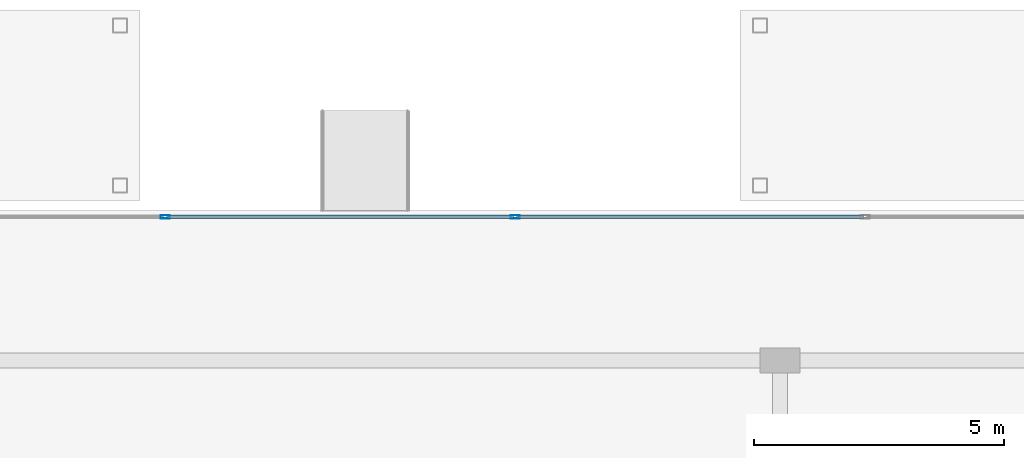
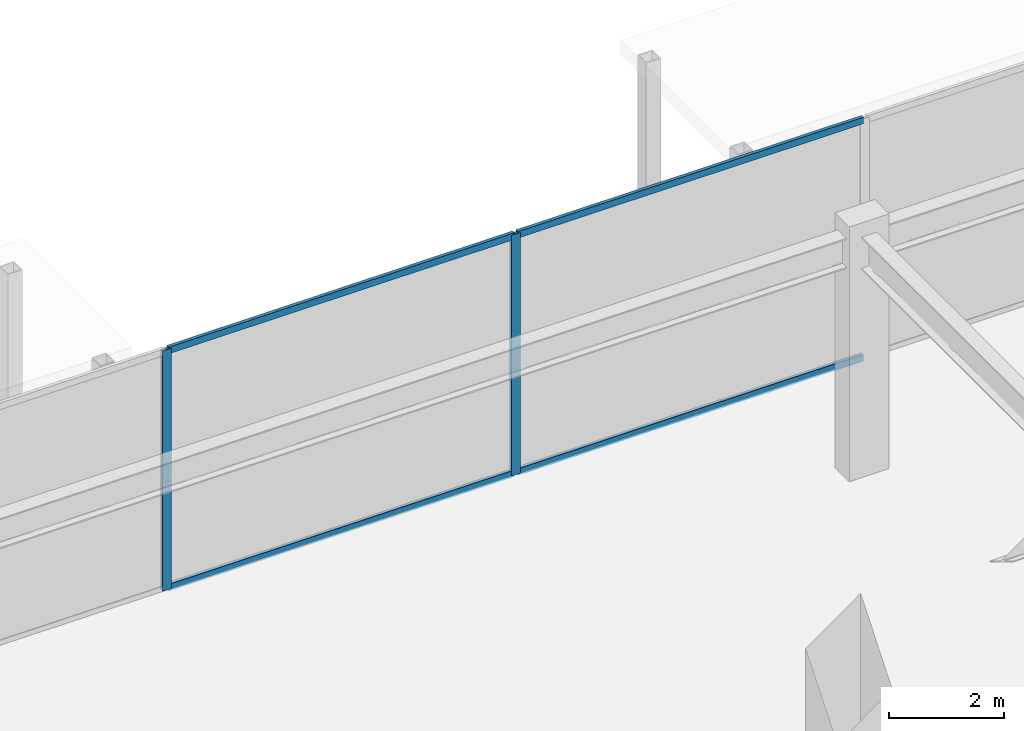
# One storey, part 16 of 28: 6 members, 1 element without a shape of its own.
"""IFC4 building model written with IfcOpenShell, lengths in metres."""

from ifc_helpers import new_model, si_unit, direction, frame, origin, origin_2d, place, context, subcontext, project, spatial, hollow_rectangle, extrude, source, transform, mapped, material, material_profile, profile_set, type_object, type_shapes, element, aggregate, save


model = new_model("IFC4")

# Units and contexts
model_context = context("Model", 3, precision=1e-05, world=origin(), true_north=direction((0.0, 1.0)))
body_context = subcontext(model_context, "Body", "Model", "MODEL_VIEW")
ifc_project = project(units=[si_unit("LENGTHUNIT", "METRE"), si_unit("AREAUNIT", "SQUARE_METRE"), si_unit("VOLUMEUNIT", "CUBIC_METRE"), si_unit("PLANEANGLEUNIT", "RADIAN"), si_unit("MASSUNIT", "GRAM", prefix="KILO")], contexts=[model_context])

# Site, building, storey
site_placement = place(None, origin())
site = spatial("IfcSite", under=ifc_project, at=site_placement, CompositionType="ELEMENT")
building_placement = place(site_placement, origin())
building = spatial("IfcBuilding", under=site, at=building_placement, Name="Krantzveldt Concourse Tower", CompositionType="ELEMENT")
storey_placement = place(building_placement, origin())
storey = spatial("IfcBuildingStorey", under=building, at=storey_placement, Name="L00", CompositionType="ELEMENT", Elevation=0.0)

# Curtain wall, members
ifc_material = material(Name="Anodised aluminium 6063-T6", Category="aluminium")
curtain_wall_type = type_object("IfcCurtainWallType", Name="CW1", PredefinedType="USERDEFINED", material=ifc_material)
curtain_wall_placement = place(storey_placement, origin())
curtain_wall = element("IfcCurtainWall", 1, at=curtain_wall_placement, inside=storey, type_object=curtain_wall_type, Name="CW-L00-NC2", ObjectType="UNITISED CURTAIN WALL", PredefinedType="USERDEFINED")
ifc_material_profile_1 = material_profile(ifc_material, hollow_rectangle(XDim=0.070068359375, YDim=0.179931640625, WallThickness=0.0048828125, at=origin_2d()), Name="Anodised aluminium 6063-T6", Category="aluminium")
ifc_profile_set_1 = profile_set([ifc_material_profile_1], Name="Anodised aluminium 6063-T6 - ALU-MULL 180x70x5")
member_type_1 = type_object("IfcMemberType", Name="CW-MUL-180", PredefinedType="MULLION", material=ifc_profile_set_1)
shared_shape_1 = source(origin(), body_context, "Body", "SweptSolid", [
    extrude(hollow_rectangle(XDim=0.070068359375, YDim=0.179931640625, WallThickness=0.0048828125, at=origin_2d()), origin(), (0.0, 0.0, 1.0), 5.10009765625),
])
type_shapes(member_type_1, [shared_shape_1])
member_1_placement = place(storey_placement, frame((41.5, 52.969970703125, 0.0), z_axis=(0.0, 0.0, 1.0), x_axis=(0.0, -1.0, 0.0)))
member_1 = element("IfcMember", 2, at=member_1_placement, type_object=member_type_1, Name="CW-POD mullion 3", PredefinedType="MULLION", context=body_context, shape_type="MappedRepresentation", body=[
    mapped(shared_shape_1, transform((0.0, 0.0, 0.0), x_axis=(1.0, 0.0, 0.0), y_axis=(0.0, 1.0, 0.0), z_axis=(0.0, 0.0, 1.0), scale=1.0)),
])
member_2_placement = place(storey_placement, frame((34.5, 52.969970703125, 0.0), z_axis=(0.0, 0.0, 1.0), x_axis=(0.0, -1.0, 0.0)))
member_2 = element("IfcMember", 3, at=member_2_placement, type_object=member_type_1, Name="CW-POD mullion 4", PredefinedType="MULLION", context=body_context, shape_type="MappedRepresentation", body=[
    mapped(shared_shape_1, transform((0.0, 0.0, 0.0), x_axis=(1.0, 0.0, 0.0), y_axis=(0.0, 1.0, 0.0), z_axis=(0.0, 0.0, 1.0), scale=1.0)),
])
ifc_material_profile_2 = material_profile(ifc_material, hollow_rectangle(XDim=0.070068359375, YDim=0.139892578125, WallThickness=0.0048828125, at=origin_2d()), Name="Anodised aluminium 6063-T6", Category="aluminium")
ifc_profile_set_2 = profile_set([ifc_material_profile_2], Name="Anodised aluminium 6063-T6 - ALU-TRAN 140x70x5")
member_type_2 = type_object("IfcMemberType", Name="CW-TRN-150", PredefinedType="USERDEFINED", material=ifc_profile_set_2)
shared_shape_2 = source(origin(), body_context, "Body", "SweptSolid", [
    extrude(hollow_rectangle(XDim=0.070068359375, YDim=0.139892578125, WallThickness=0.0048828125, at=origin_2d()), origin(), (0.0, 0.0, 1.0), 6.93017578125),
])
type_shapes(member_type_2, [shared_shape_2])
member_3_placement = place(storey_placement, frame((48.465087890625, 52.969970703125, 0.034912109375), z_axis=(-1.0, 0.0, 0.0), x_axis=(0.0, -1.0, 0.0)))
member_3 = element("IfcMember", 4, at=member_3_placement, type_object=member_type_2, Name="CW-POD transom 2.1", ObjectType="TRANSOM", PredefinedType="USERDEFINED", context=body_context, shape_type="MappedRepresentation", body=[
    mapped(shared_shape_2, transform((0.0, 0.0, 0.0), x_axis=(1.0, 0.0, 0.0), y_axis=(0.0, 1.0, 0.0), z_axis=(0.0, 0.0, 1.0), scale=1.0)),
])
member_4_placement = place(storey_placement, frame((48.465087890625, 52.969970703125, 5.06494140625), z_axis=(-1.0, 0.0, 0.0), x_axis=(0.0, -1.0, 0.0)))
member_4 = element("IfcMember", 5, at=member_4_placement, type_object=member_type_2, Name="CW-POD transom 2.2", ObjectType="TRANSOM", PredefinedType="USERDEFINED", context=body_context, shape_type="MappedRepresentation", body=[
    mapped(shared_shape_2, transform((0.0, 0.0, 0.0), x_axis=(1.0, 0.0, 0.0), y_axis=(0.0, 1.0, 0.0), z_axis=(0.0, 0.0, 1.0), scale=1.0)),
])
member_5_placement = place(storey_placement, frame((41.465087890625, 52.969970703125, 0.034912109375), z_axis=(-1.0, 0.0, 0.0), x_axis=(0.0, -1.0, 0.0)))
member_5 = element("IfcMember", 6, at=member_5_placement, type_object=member_type_2, Name="CW-POD transom 3.1", ObjectType="TRANSOM", PredefinedType="USERDEFINED", context=body_context, shape_type="MappedRepresentation", body=[
    mapped(shared_shape_2, transform((0.0, 0.0, 0.0), x_axis=(1.0, 0.0, 0.0), y_axis=(0.0, 1.0, 0.0), z_axis=(0.0, 0.0, 1.0), scale=1.0)),
])
member_6_placement = place(storey_placement, frame((41.465087890625, 52.969970703125, 5.06494140625), z_axis=(-1.0, 0.0, 0.0), x_axis=(0.0, -1.0, 0.0)))
member_6 = element("IfcMember", 7, at=member_6_placement, type_object=member_type_2, Name="CW-POD transom 3.2", ObjectType="TRANSOM", PredefinedType="USERDEFINED", context=body_context, shape_type="MappedRepresentation", body=[
    mapped(shared_shape_2, transform((0.0, 0.0, 0.0), x_axis=(1.0, 0.0, 0.0), y_axis=(0.0, 1.0, 0.0), z_axis=(0.0, 0.0, 1.0), scale=1.0)),
])
aggregate(curtain_wall, [member_1, member_2, member_3, member_4, member_5, member_6])

save(model, "model.ifc")
